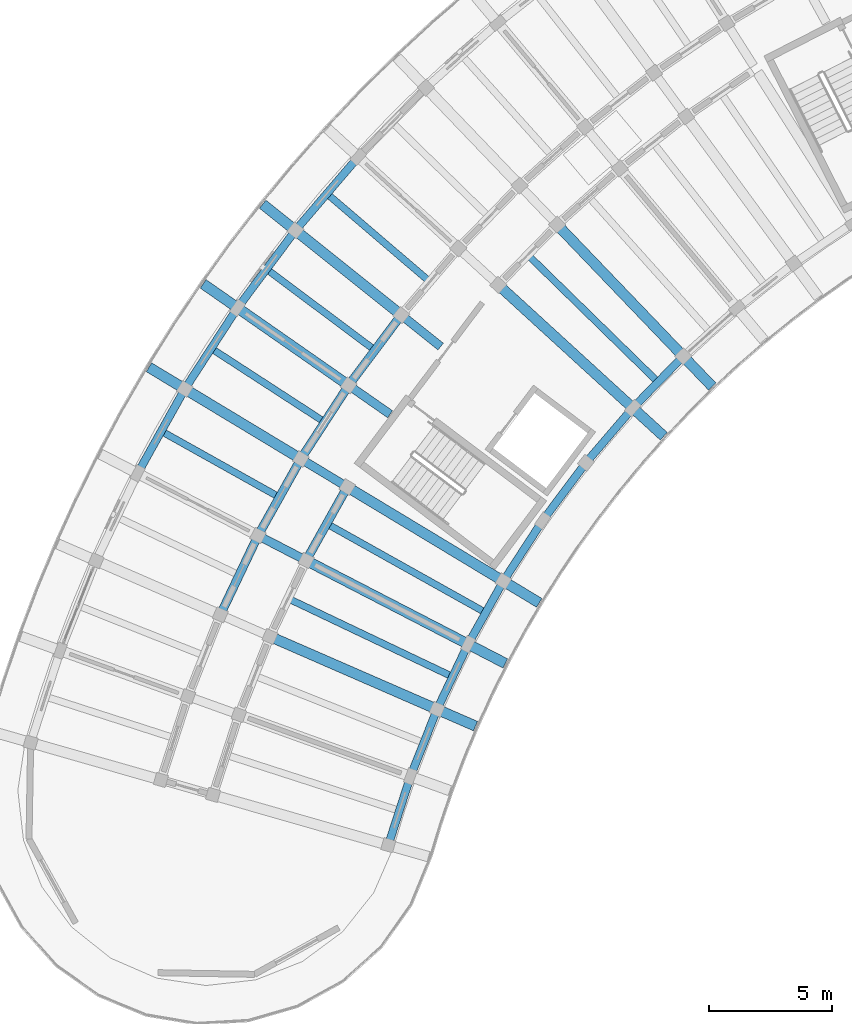
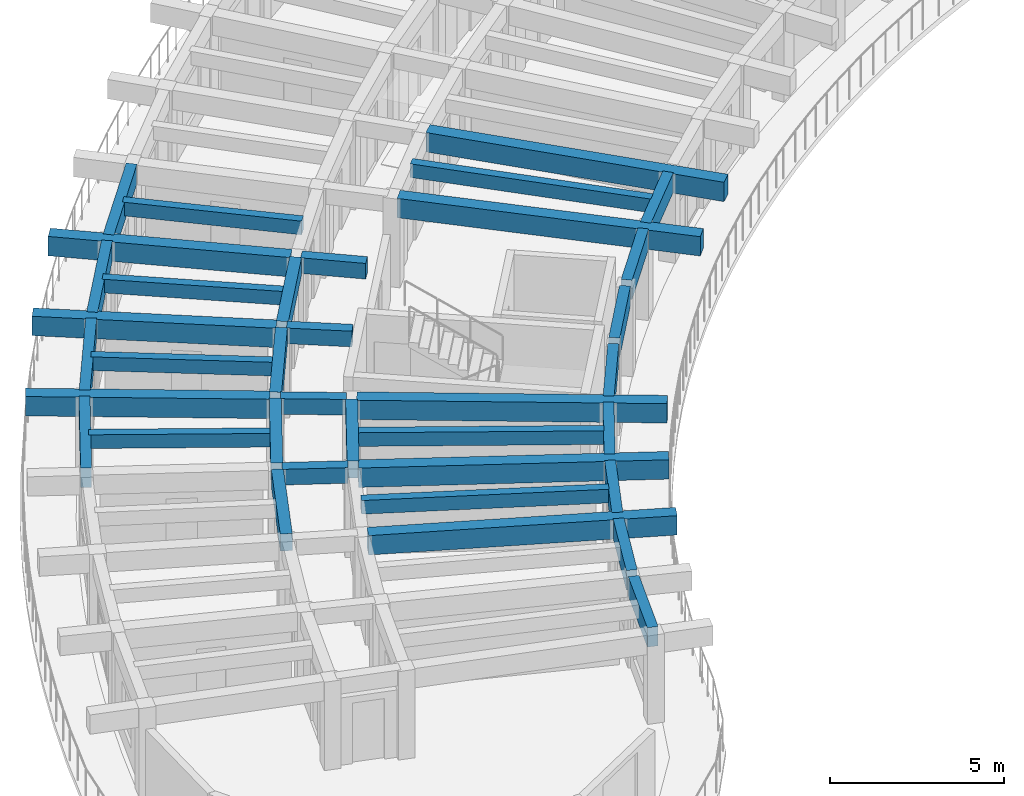
# One storey, part 13 of 83: 36 beams.
"""IFC4 building model written with IfcOpenShell, lengths in metres."""

from ifc_helpers import new_model, si_unit, direction, frame, origin, origin_2d, place, context, subcontext, project, spatial, rectangle, extrude, material, material_profile, profile_set, type_object, element, save


model = new_model("IFC4")

# Units and contexts
model_context = context("Model", 3, precision=1e-05, world=origin(), true_north=direction((0.0, 1.0)))
body_context = subcontext(model_context, "Body", "Model", "MODEL_VIEW")
ifc_project = project(units=[si_unit("LENGTHUNIT", "METRE"), si_unit("AREAUNIT", "SQUARE_METRE"), si_unit("VOLUMEUNIT", "CUBIC_METRE"), si_unit("PLANEANGLEUNIT", "RADIAN"), si_unit("MASSUNIT", "GRAM", prefix="KILO")], contexts=[model_context])

# Site, building, storey
site_placement = place(None, origin())
site = spatial("IfcSite", under=ifc_project, at=site_placement, CompositionType="ELEMENT")
building_placement = place(site_placement, origin())
building = spatial("IfcBuilding", under=site, at=building_placement, Name="Tanwirah Colonnade Gardens", CompositionType="ELEMENT")
storey_placement = place(building_placement, frame((0.0, 0.0, 25.639892578125)))
storey = spatial("IfcBuildingStorey", under=building, at=storey_placement, Name="L07", CompositionType="ELEMENT", Elevation=25.639892578125)

# Beams
ifc_material_1 = material(Name="Precast concrete C40/50", Category="concrete")
ifc_material_profile_1 = material_profile(ifc_material_1, rectangle(XDim=0.35009765625, YDim=0.550048828125, at=origin_2d()), Name="PC-BM 350x550")
ifc_profile_set_1 = profile_set([ifc_material_profile_1], Name="Precast concrete C40/50")
beam_type_1 = type_object("IfcBeamType", Name="BM-PC350A", PredefinedType="BEAM", material=ifc_profile_set_1)
for number, where, z_axis, x_axis, name in (
    (1, (24.398681640625, 92.68896484375, 2.835205078125), (-0.78073089418, 0.624867402633, 0.0), (-0.624867402633, -0.78073089418, 0.0), "Block A L07 Corridor Tie Beam 12"),
    (2, (22.346435546875, 89.943359375, 2.835205078125), (-0.820305001782, 0.571926309983, 0.0), (-0.571926309983, -0.820305001782, 0.0), "Block A L07 Corridor Tie Beam 13"),
    (3, (20.479248046875, 87.068359375, 2.835205078125), (-0.856174920318, 0.516686080534, 0.0), (-0.516686080534, -0.856174920318, 0.0), "Block A L07 Corridor Tie Beam 14"),
    (4, (18.8056640625, 84.07666015625, 2.835205078125), (-0.888358643941, 0.459150214784, 0.0), (-0.459150214784, -0.888358643941, 0.0), "Block A L07 Corridor Tie Beam 15"),
):
    element("IfcBeam", number, at=place(storey_placement, frame(where, z_axis=z_axis, x_axis=x_axis)), inside=storey, type_object=beam_type_1, Name=name, PredefinedType="BEAM", context=body_context, shape_type="SweptSolid", body=[
        extrude(rectangle(XDim=0.35009765625, YDim=0.550048828125, at=origin_2d()), origin(), (0.0, 0.0, 1.0), 1.89990234375),
    ])
ifc_material_profile_2 = material_profile(ifc_material_1, rectangle(XDim=0.35009765625, YDim=0.60009765625, at=origin_2d()), Name="PC-BM 350x600")
ifc_profile_set_2 = profile_set([ifc_material_profile_2], Name="Precast concrete C40/50")
beam_type_2 = type_object("IfcBeamType", Name="BM-PC350B", PredefinedType="BEAM", material=ifc_profile_set_2)
for number, where, z_axis, x_axis, name in (
    (5, (22.708251953125, 93.849609375, 2.81005859375), (-0.59871829396, -0.800959677186, 0.0), (0.800959677186, -0.59871829396, 0.0), "Block A L07 Circumferential Beam 12-R2"),
    (6, (20.5830078125, 90.989990234375, 2.81005859375), (-0.544627998385, -0.838677735114, 0.0), (0.838677735114, -0.544627998385, 0.0), "Block A L07 Circumferential Beam 13-R2"),
):
    element("IfcBeam", number, at=place(storey_placement, frame(where, z_axis=z_axis, x_axis=x_axis)), inside=storey, type_object=beam_type_2, Name=name, PredefinedType="BEAM", context=body_context, shape_type="SweptSolid", body=[
        extrude(rectangle(XDim=0.35009765625, YDim=0.60009765625, at=origin_2d()), origin(), (0.0, 0.0, 1.0), 3.262939453125),
    ])
beam_1_placement = place(storey_placement, frame((20.534423828125, 86.85986328125, 2.81005859375), z_axis=(-0.488200372352, -0.872731571811, 0.0), x_axis=(0.872731571811, -0.488200372352, 0.0)))
element("IfcBeam", 7, at=beam_1_placement, inside=storey, type_object=beam_type_2, Name="Block A L07 Circumferential Beam 14-R1", PredefinedType="BEAM", context=body_context, shape_type="SweptSolid", body=[
    extrude(rectangle(XDim=0.35009765625, YDim=0.60009765625, at=origin_2d()), origin(), (0.0, 0.0, 1.0), 3.117919921875),
])
beam_2_placement = place(storey_placement, frame((18.65087890625, 87.99658203125, 2.81005859375), z_axis=(-0.488213717102, -0.87272410671, 0.0), x_axis=(0.87272410671, -0.488213717102, 0.0)))
element("IfcBeam", 8, at=beam_2_placement, inside=storey, type_object=beam_type_2, Name="Block A L07 Circumferential Beam 14-R2", PredefinedType="BEAM", context=body_context, shape_type="SweptSolid", body=[
    extrude(rectangle(XDim=0.35009765625, YDim=0.60009765625, at=origin_2d()), origin(), (0.0, 0.0, 1.0), 3.262939453125),
])
beam_3_placement = place(storey_placement, frame((16.920166015625, 84.882568359375, 2.81005859375), z_axis=(-0.4295908638, -0.90302363742, 0.0), x_axis=(0.90302363742, -0.4295908638, 0.0)))
element("IfcBeam", 9, at=beam_3_placement, inside=storey, type_object=beam_type_2, Name="Block A L07 Circumferential Beam 15-R2", PredefinedType="BEAM", context=body_context, shape_type="SweptSolid", body=[
    extrude(rectangle(XDim=0.35009765625, YDim=0.60009765625, at=origin_2d()), origin(), (0.0, 0.0, 1.0), 3.26318359375),
])
ifc_material_2 = material(Name="Precast concrete C45/55", Category="concrete")
ifc_material_profile_3 = material_profile(ifc_material_2, rectangle(XDim=0.419921875, YDim=0.679931640625, at=origin_2d()), Name="PC-BM 420x680")
ifc_profile_set_3 = profile_set([ifc_material_profile_3], Name="Precast concrete C45/55")
beam_type_3 = type_object("IfcBeamType", Name="BM-PC420", PredefinedType="BEAM", material=ifc_profile_set_3)
for number, where, z_axis, x_axis, name in (
    (10, (29.230712890625, 97.52880859375, 2.77001953125), (0.691860926595, -0.722030787606, 0.0), (0.722030787606, 0.691860926595, 0.0), "Block A L07 Inner Radial Precast Girder 10"),
    (11, (26.848876953125, 95.091064453125, 2.77001953125), (0.737937205818, -0.674869380154, 0.0), (0.674869380154, 0.737937205818, 0.0), "Block A L07 Inner Radial Precast Girder 11"),
):
    element("IfcBeam", number, at=place(storey_placement, frame(where, z_axis=z_axis, x_axis=x_axis)), inside=storey, type_object=beam_type_3, Name=name, PredefinedType="BEAM", context=body_context, shape_type="SweptSolid", body=[
        extrude(rectangle(XDim=0.419921875, YDim=0.679931640625, at=origin_2d()), origin(), (0.0, 0.0, 1.0), 8.949951171875),
    ])
for number, where, z_axis, x_axis, name in (
    (12, (22.680908203125, 94.0634765625, 2.77001953125), (-0.780794476885, 0.624787951921, 0.0), (-0.624787951921, -0.780794476885, 0.0), "Block A L07 Outer Radial Precast Girder 12"),
    (13, (20.541748046875, 91.20166015625, 2.77001953125), (-0.820270158139, 0.571976282433, 0.0), (-0.571976282433, -0.820270158139, 0.0), "Block A L07 Outer Radial Precast Girder 13"),
):
    element("IfcBeam", number, at=place(storey_placement, frame(where, z_axis=z_axis, x_axis=x_axis)), inside=storey, type_object=beam_type_3, Name=name, PredefinedType="BEAM", context=body_context, shape_type="SweptSolid", body=[
        extrude(rectangle(XDim=0.419921875, YDim=0.679931640625, at=origin_2d()), origin(), (0.0, 0.0, 1.0), 7.050048828125),
    ])
beam_4_placement = place(storey_placement, frame((20.736083984375, 86.913330078125, 2.77001953125), z_axis=(0.856168728297, -0.516696340887, 0.0), x_axis=(0.516696340887, 0.856168728297, 0.0)))
element("IfcBeam", 14, at=beam_4_placement, inside=storey, type_object=beam_type_3, Name="Block A L07 Inner Radial Precast Girder 14", PredefinedType="BEAM", context=body_context, shape_type="SweptSolid", body=[
    extrude(rectangle(XDim=0.419921875, YDim=0.679931640625, at=origin_2d()), origin(), (0.0, 0.0, 1.0), 8.9501953125),
])
beam_5_placement = place(storey_placement, frame((18.595703125, 88.205078125, 2.77001953125), z_axis=(-0.856157813984, 0.516714425533, 0.0), x_axis=(-0.516714425533, -0.856157813984, 0.0)))
element("IfcBeam", 15, at=beam_5_placement, inside=storey, type_object=beam_type_3, Name="Block A L07 Outer Radial Precast Girder 14", PredefinedType="BEAM", context=body_context, shape_type="SweptSolid", body=[
    extrude(rectangle(XDim=0.419921875, YDim=0.679931640625, at=origin_2d()), origin(), (0.0, 0.0, 1.0), 7.050048828125),
])
beam_6_placement = place(storey_placement, frame((19.072265625, 83.93896484375, 2.77001953125), z_axis=(0.888345427876, -0.459175784175, 0.0), x_axis=(0.459175784175, 0.888345427876, 0.0)))
element("IfcBeam", 16, at=beam_6_placement, inside=storey, type_object=beam_type_3, Name="Block A L07 Inner Radial Precast Girder 15", PredefinedType="BEAM", context=body_context, shape_type="SweptSolid", body=[
    extrude(rectangle(XDim=0.419921875, YDim=0.679931640625, at=origin_2d()), origin(), (0.0, 0.0, 1.0), 8.949951171875),
])
beam_7_placement = place(storey_placement, frame((17.60791015625, 80.861328125, 2.77001953125), z_axis=(0.916669317869, -0.399646545934, 0.0), x_axis=(0.399646545934, 0.916669317869, 0.0)))
element("IfcBeam", 17, at=beam_7_placement, inside=storey, type_object=beam_type_3, Name="Block A L07 Inner Radial Precast Girder 16", PredefinedType="BEAM", context=body_context, shape_type="SweptSolid", body=[
    extrude(rectangle(XDim=0.419921875, YDim=0.679931640625, at=origin_2d()), origin(), (0.0, 0.0, 1.0), 8.9501953125),
])
ifc_material_profile_4 = material_profile(ifc_material_1, rectangle(XDim=0.280029296875, YDim=0.47998046875, at=origin_2d()), Name="PC-JST 280x480")
ifc_profile_set_4 = profile_set([ifc_material_profile_4], Name="Precast concrete C40/50")
beam_type_4 = type_object("IfcBeamType", Name="JST-PC280", PredefinedType="JOIST", material=ifc_profile_set_4)
beam_8_placement = place(storey_placement, frame((33.11962890625, 91.346923828125, 2.8701171875), z_axis=(-0.715276680509, 0.698841377081, 0.0), x_axis=(-0.698841377081, -0.715276680509, 0.0)))
element("IfcBeam", 18, at=beam_8_placement, inside=storey, type_object=beam_type_4, Name="Block A L07 Inner Precast Floor Joist 10", PredefinedType="JOIST", context=body_context, shape_type="SweptSolid", body=[
    extrude(rectangle(XDim=0.280029296875, YDim=0.47998046875, at=origin_2d()), origin(), (0.0, 0.0, 1.0), 7.159912109375),
])
beam_9_placement = place(storey_placement, frame((23.843017578125, 95.42041015625, 2.8701171875), z_axis=(-0.759770723643, 0.65019108537, 0.0), x_axis=(-0.65019108537, -0.759770723643, 0.0)))
element("IfcBeam", 19, at=beam_9_placement, inside=storey, type_object=beam_type_4, Name="Block A L07 Precast Floor Joist 11", PredefinedType="JOIST", context=body_context, shape_type="SweptSolid", body=[
    extrude(rectangle(XDim=0.280029296875, YDim=0.47998046875, at=origin_2d()), origin(), (0.0, 0.0, 1.0), 5.26025390625),
])
beam_10_placement = place(storey_placement, frame((21.61181640625, 92.63232421875, 2.8701171875), z_axis=(-0.800973647215, 0.598699604533, 0.0), x_axis=(-0.598699604533, -0.800973647215, 0.0)))
element("IfcBeam", 20, at=beam_10_placement, inside=storey, type_object=beam_type_4, Name="Block A L07 Precast Floor Joist 12", PredefinedType="JOIST", context=body_context, shape_type="SweptSolid", body=[
    extrude(rectangle(XDim=0.280029296875, YDim=0.47998046875, at=origin_2d()), origin(), (0.0, 0.0, 1.0), 5.260009765625),
])
beam_11_placement = place(storey_placement, frame((19.5693359375, 89.703125, 2.8701171875), z_axis=(-0.83868742622, 0.544613074669, 0.0), x_axis=(-0.544613074669, -0.83868742622, 0.0)))
element("IfcBeam", 21, at=beam_11_placement, inside=storey, type_object=beam_type_4, Name="Block A L07 Precast Floor Joist 13", PredefinedType="JOIST", context=body_context, shape_type="SweptSolid", body=[
    extrude(rectangle(XDim=0.280029296875, YDim=0.47998046875, at=origin_2d()), origin(), (0.0, 0.0, 1.0), 5.26025390625),
])
beam_12_placement = place(storey_placement, frame((17.72412109375, 86.645751953125, 2.8701171875), z_axis=(-0.872737031138, 0.488190612855, 0.0), x_axis=(-0.488190612855, -0.872737031138, 0.0)))
element("IfcBeam", 22, at=beam_12_placement, inside=storey, type_object=beam_type_4, Name="Block A L07 Precast Floor Joist 14", PredefinedType="JOIST", context=body_context, shape_type="SweptSolid", body=[
    extrude(rectangle(XDim=0.280029296875, YDim=0.47998046875, at=origin_2d()), origin(), (0.0, 0.0, 1.0), 5.260009765625),
])
for number, where, z_axis, x_axis, name in (
    (23, (26.102294921875, 81.958984375, 2.8701171875), (-0.872726875563, 0.488208767506, 0.0), (-0.488208767506, -0.872726875563, 0.0), "Block A L07 Inner Precast Floor Joist 14"),
    (24, (24.753173828125, 79.348876953125, 2.8701171875), (-0.903005429363, 0.429629136048, 0.0), (-0.429629136048, -0.903005429363, 0.0), "Block A L07 Inner Precast Floor Joist 15"),
):
    element("IfcBeam", number, at=place(storey_placement, frame(where, z_axis=z_axis, x_axis=x_axis)), inside=storey, type_object=beam_type_4, Name=name, PredefinedType="JOIST", context=body_context, shape_type="SweptSolid", body=[
        extrude(rectangle(XDim=0.280029296875, YDim=0.47998046875, at=origin_2d()), origin(), (0.0, 0.0, 1.0), 7.16015625),
    ])
ifc_material_profile_5 = material_profile(ifc_material_2, rectangle(XDim=0.320068359375, YDim=0.679931640625, at=origin_2d()), Name="PC-SP 320x680")
ifc_profile_set_5 = profile_set([ifc_material_profile_5], Name="Precast concrete C45/55")
beam_type_5 = type_object("IfcBeamType", Name="SP-PC320", PredefinedType="SPANDREL", material=ifc_profile_set_5)
beam_13_placement = place(storey_placement, frame((34.141845703125, 92.186767578125, 2.77001953125), z_axis=(-0.698844462704, -0.715273665772, 0.0), x_axis=(0.715273665772, -0.698844462704, 0.0)))
element("IfcBeam", 25, at=beam_13_placement, inside=storey, type_object=beam_type_5, Name="Block A L07 Circumferential Beam 10-R0", PredefinedType="SPANDREL", context=body_context, shape_type="SweptSolid", body=[
    extrude(rectangle(XDim=0.320068359375, YDim=0.679931640625, at=origin_2d()), origin(), (0.0, 0.0, 1.0), 2.630126953125),
])
beam_14_placement = place(storey_placement, frame((32.101318359375, 90.084228515625, 2.77001953125), z_axis=(-0.650172023628, -0.759787035749, 0.0), x_axis=(0.759787035749, -0.650172023628, 0.0)))
element("IfcBeam", 26, at=beam_14_placement, inside=storey, type_object=beam_type_5, Name="Block A L07 Circumferential Beam 11-R0", PredefinedType="SPANDREL", context=body_context, shape_type="SweptSolid", body=[
    extrude(rectangle(XDim=0.320068359375, YDim=0.679931640625, at=origin_2d()), origin(), (0.0, 0.0, 1.0), 2.63037109375),
])
beam_15_placement = place(storey_placement, frame((20.95849609375, 100.27490234375, 2.77001953125), z_axis=(-0.65013123267, -0.75982193987, 0.0), x_axis=(0.75982193987, -0.65013123267, 0.0)))
element("IfcBeam", 27, at=beam_15_placement, inside=storey, type_object=beam_type_5, Name="Block A L07 Circumferential Beam 11-R3", PredefinedType="SPANDREL", context=body_context, shape_type="SweptSolid", body=[
    extrude(rectangle(XDim=0.320068359375, YDim=0.679931640625, at=origin_2d()), origin(), (0.0, 0.0, 1.0), 3.625732421875),
])
beam_16_placement = place(storey_placement, frame((30.203857421875, 87.851806640625, 2.77001953125), z_axis=(-0.598662613551, -0.80100129534, 0.0), x_axis=(0.80100129534, -0.598662613551, 0.0)))
element("IfcBeam", 28, at=beam_16_placement, inside=storey, type_object=beam_type_5, Name="Block A L07 Circumferential Beam 12-R0", PredefinedType="SPANDREL", context=body_context, shape_type="SweptSolid", body=[
    extrude(rectangle(XDim=0.320068359375, YDim=0.679931640625, at=origin_2d()), origin(), (0.0, 0.0, 1.0), 2.63037109375),
])
beam_17_placement = place(storey_placement, frame((18.413818359375, 97.285888671875, 2.77001953125), z_axis=(-0.598695554058, -0.800976674786, 0.0), x_axis=(0.800976674786, -0.598695554058, 0.0)))
element("IfcBeam", 29, at=beam_17_placement, inside=storey, type_object=beam_type_5, Name="Block A L07 Circumferential Beam 12-R3", PredefinedType="SPANDREL", context=body_context, shape_type="SweptSolid", body=[
    extrude(rectangle(XDim=0.320068359375, YDim=0.679931640625, at=origin_2d()), origin(), (0.0, 0.0, 1.0), 3.625732421875),
])
beam_18_placement = place(storey_placement, frame((28.45751953125, 85.4990234375, 2.77001953125), z_axis=(-0.544570677829, -0.838714955661, 0.0), x_axis=(0.838714955661, -0.544570677829, 0.0)))
element("IfcBeam", 30, at=beam_18_placement, inside=storey, type_object=beam_type_5, Name="Block A L07 Circumferential Beam 13-R0", PredefinedType="SPANDREL", context=body_context, shape_type="SweptSolid", body=[
    extrude(rectangle(XDim=0.320068359375, YDim=0.679931640625, at=origin_2d()), origin(), (0.0, 0.0, 1.0), 2.63037109375),
])
beam_19_placement = place(storey_placement, frame((16.071533203125, 94.135986328125, 2.77001953125), z_axis=(-0.544621436184, -0.838681996497, 0.0), x_axis=(0.838681996497, -0.544621436184, 0.0)))
element("IfcBeam", 31, at=beam_19_placement, inside=storey, type_object=beam_type_5, Name="Block A L07 Circumferential Beam 13-R3", PredefinedType="SPANDREL", context=body_context, shape_type="SweptSolid", body=[
    extrude(rectangle(XDim=0.320068359375, YDim=0.679931640625, at=origin_2d()), origin(), (0.0, 0.0, 1.0), 3.625732421875),
])
beam_20_placement = place(storey_placement, frame((26.8701171875, 83.036376953125, 2.77001953125), z_axis=(-0.488170837957, -0.872748092503, 0.0), x_axis=(0.872748092503, -0.488170837957, 0.0)))
element("IfcBeam", 32, at=beam_20_placement, inside=storey, type_object=beam_type_5, Name="Block A L07 Circumferential Beam 14-R0", PredefinedType="SPANDREL", context=body_context, shape_type="SweptSolid", body=[
    extrude(rectangle(XDim=0.320068359375, YDim=0.679931640625, at=origin_2d()), origin(), (0.0, 0.0, 1.0), 2.630126953125),
])
beam_21_placement = place(storey_placement, frame((13.942138671875, 90.838623046875, 2.77001953125), z_axis=(-0.488236312193, -0.872711466326, 0.0), x_axis=(0.872711466326, -0.488236312193, 0.0)))
element("IfcBeam", 33, at=beam_21_placement, inside=storey, type_object=beam_type_5, Name="Block A L07 Circumferential Beam 14-R3", PredefinedType="SPANDREL", context=body_context, shape_type="SweptSolid", body=[
    extrude(rectangle(XDim=0.320068359375, YDim=0.679931640625, at=origin_2d()), origin(), (0.0, 0.0, 1.0), 3.625732421875),
])
beam_22_placement = place(storey_placement, frame((25.448486328125, 80.474609375, 2.77001953125), z_axis=(-0.42964173036, -0.902999437172, 0.0), x_axis=(0.902999437172, -0.42964173036, 0.0)))
element("IfcBeam", 34, at=beam_22_placement, inside=storey, type_object=beam_type_5, Name="Block A L07 Circumferential Beam 15-R0", PredefinedType="SPANDREL", context=body_context, shape_type="SweptSolid", body=[
    extrude(rectangle(XDim=0.320068359375, YDim=0.679931640625, at=origin_2d()), origin(), (0.0, 0.0, 1.0), 2.63037109375),
])
beam_23_placement = place(storey_placement, frame((24.198486328125, 77.824462890625, 2.77001953125), z_axis=(-0.369245181709, -0.929332015904, 0.0), x_axis=(0.929332015904, -0.369245181709, 0.0)))
element("IfcBeam", 35, at=beam_23_placement, inside=storey, type_object=beam_type_5, Name="Block A L07 Circumferential Beam 16-R0", PredefinedType="SPANDREL", context=body_context, shape_type="SweptSolid", body=[
    extrude(rectangle(XDim=0.320068359375, YDim=0.679931640625, at=origin_2d()), origin(), (0.0, 0.0, 1.0), 2.630126953125),
])
beam_24_placement = place(storey_placement, frame((23.1259765625, 75.097900390625, 2.77001953125), z_axis=(-0.307219720817, -0.951638609526, 0.0), x_axis=(0.951638609526, -0.307219720817, 0.0)))
element("IfcBeam", 36, at=beam_24_placement, inside=storey, type_object=beam_type_5, Name="Block A L07 Circumferential Beam 17-R0", PredefinedType="SPANDREL", context=body_context, shape_type="SweptSolid", body=[
    extrude(rectangle(XDim=0.320068359375, YDim=0.679931640625, at=origin_2d()), origin(), (0.0, 0.0, 1.0), 2.63037109375),
])

save(model, "model.ifc")
